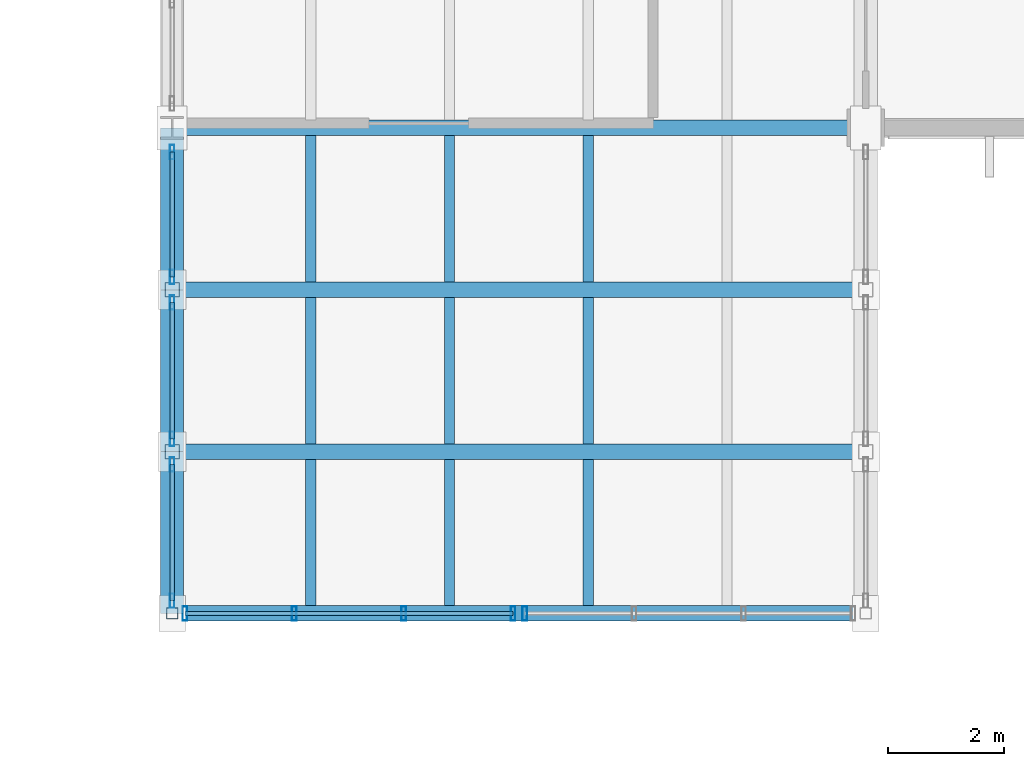
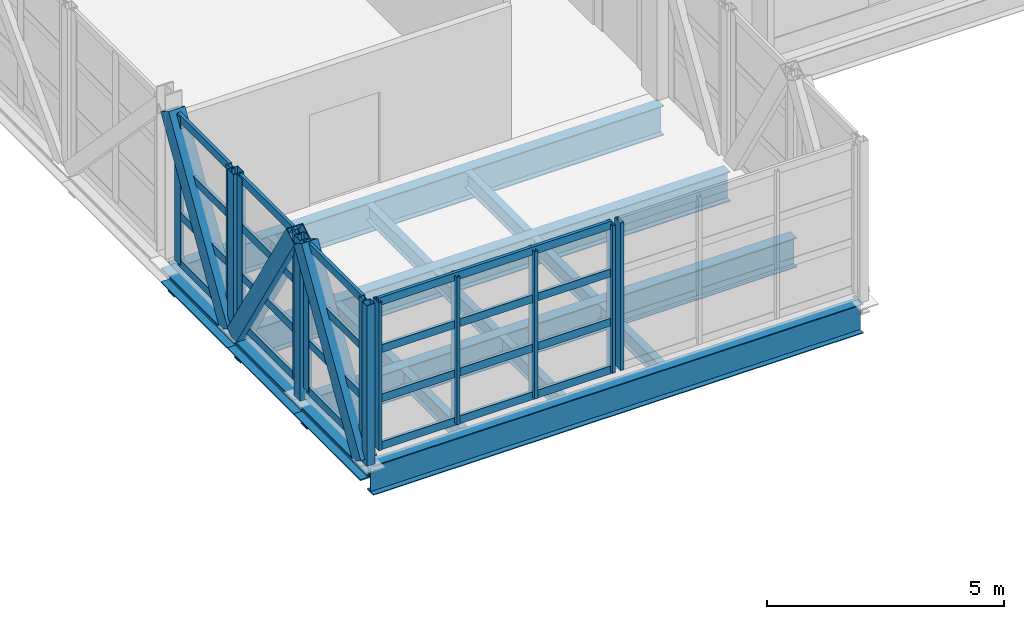
# One storey, part 7 of 63: 33 members, 16 beams, 5 elements without a shape of their own.
"""IFC4 building model written with IfcOpenShell, lengths in metres."""

from ifc_helpers import new_model, si_unit, direction, frame, origin, origin_2d, place, context, subcontext, project, spatial, hollow_rectangle, i_section, extrude, material, material_profile, profile_set, type_object, element, aggregate, save


model = new_model("IFC4")

# Units and contexts
model_context = context("Model", 3, precision=1e-05, world=origin(), true_north=direction((0.0, 1.0)))
body_context = subcontext(model_context, "Body", "Model", "MODEL_VIEW")
ifc_project = project(units=[si_unit("LENGTHUNIT", "METRE"), si_unit("AREAUNIT", "SQUARE_METRE"), si_unit("VOLUMEUNIT", "CUBIC_METRE"), si_unit("PLANEANGLEUNIT", "RADIAN"), si_unit("MASSUNIT", "GRAM", prefix="KILO")], contexts=[model_context])

# Site, building, storey
site_placement = place(None, origin())
site = spatial("IfcSite", under=ifc_project, at=site_placement, CompositionType="ELEMENT")
building_placement = place(site_placement, origin())
building = spatial("IfcBuilding", under=site, at=building_placement, Name="Kelmvaro Bay Concert Hall", CompositionType="ELEMENT")
storey_placement = place(building_placement, frame((0.0, 0.0, 13.800048828125)))
storey = spatial("IfcBuildingStorey", under=building, at=storey_placement, Name="L03", CompositionType="ELEMENT", Elevation=13.800048828125)

# Beams
ifc_material_1 = material(Name="Steel ASTM A992 Grade 50", Category="steel")
ifc_material_profile_1 = material_profile(ifc_material_1, i_section(OverallWidth=0.177978515625, OverallDepth=0.406005859375, WebThickness=0.0078125, FlangeThickness=0.0126953125, at=origin_2d()), Name="W16X40")
ifc_profile_set_1 = profile_set([ifc_material_profile_1], Name="Steel ASTM A992 Grade 50")
beam_type_1 = type_object("IfcBeamType", Name="Bridge Deck Floor Joist W16x40", PredefinedType="JOIST", material=ifc_profile_set_1)
for number, where, z_axis, x_axis, name in (
    (1, (122.39990234375, 7.33349609375, -0.532958984375), (0.0, 1.0, 0.0), (-1.0, 0.0, 0.0), "Bridge Deck Joist L03-01"),
    (2, (124.800048828125, 7.33349609375, -0.532958984375), (0.0, 1.0, 0.0), (-1.0, 0.0, 0.0), "Bridge Deck Joist L03-01"),
    (3, (127.199951171875, 7.33349609375, -0.532958984375), (0.0, 1.0, 0.0), (-1.0, 0.0, 0.0), "Bridge Deck Joist L03-01"),
    (4, (122.39990234375, 10.133544921875, -0.532958984375), (0.0, 1.0, 0.0), (-1.0, 0.0, 0.0), "Bridge Deck Joist L03-02"),
    (5, (124.800048828125, 10.133544921875, -0.532958984375), (0.0, 1.0, 0.0), (-1.0, 0.0, 0.0), "Bridge Deck Joist L03-02"),
    (6, (127.199951171875, 10.133544921875, -0.532958984375), (0.0, 1.0, 0.0), (-1.0, 0.0, 0.0), "Bridge Deck Joist L03-02"),
    (7, (122.39990234375, 12.93359375, -0.532958984375), (0.0, 1.0, 0.0), (-1.0, 0.0, 0.0), "Bridge Deck Joist L03-03"),
    (8, (124.800048828125, 12.93359375, -0.532958984375), (0.0, 1.0, 0.0), (-1.0, 0.0, 0.0), "Bridge Deck Joist L03-03"),
    (9, (127.199951171875, 12.93359375, -0.532958984375), (0.0, 1.0, 0.0), (-1.0, 0.0, 0.0), "Bridge Deck Joist L03-03"),
):
    element("IfcBeam", number, at=place(storey_placement, frame(where, z_axis=z_axis, x_axis=x_axis)), inside=storey, type_object=beam_type_1, Name=name, PredefinedType="JOIST", context=body_context, shape_type="SweptSolid", body=[
        extrude(i_section(OverallWidth=0.177978515625, OverallDepth=0.406005859375, WebThickness=0.0078125, FlangeThickness=0.0126953125, at=origin_2d()), origin(), (0.0, 0.0, 1.0), 2.532958984375),
    ])

# Members
ifc_material_2 = material(Name="Steel ASTM A500 Grade C", Category="steel")
ifc_material_profile_2 = material_profile(ifc_material_2, hollow_rectangle(XDim=0.199951171875, YDim=0.199951171875, WallThickness=0.010009765625, at=origin_2d()), Name="HSS200X200X10")
ifc_profile_set_2 = profile_set([ifc_material_profile_2], Name="Steel ASTM A500 Grade C")
member_type_1 = type_object("IfcMemberType", Name="Bridge End Truss Post HSS200x200x10", PredefinedType="STRUT", material=ifc_profile_set_2)
member_1_placement = place(storey_placement, frame((120.0, 7.199951171875, -0.322021484375), z_axis=(0.0, 0.0, 1.0), x_axis=(1.0, 0.0, 0.0)))
element("IfcMember", 10, at=member_1_placement, inside=storey, type_object=member_type_1, Name="Bridge Truss W Vertical Post 01", PredefinedType="STRUT", context=body_context, shape_type="SweptSolid", body=[
    extrude(hollow_rectangle(XDim=0.199951171875, YDim=0.199951171875, WallThickness=0.010009765625, at=origin_2d()), origin(), (0.0, 0.0, 1.0), 4.135009765625),
])
ifc_material_3 = material(Name="Steel ASTM A500 Grade C", Category="steel")
ifc_material_profile_3 = material_profile(ifc_material_3, hollow_rectangle(XDim=0.39990234375, YDim=0.39990234375, WallThickness=0.01611328125, at=origin_2d()), Name="HSS400X400X16")
ifc_profile_set_3 = profile_set([ifc_material_profile_3], Name="Steel ASTM A500 Grade C")
member_type_2 = type_object("IfcMemberType", Name="Bridge Heavy Web Diagonal HSS400x400x16", PredefinedType="BRACE", material=ifc_profile_set_3)
for number, where, z_axis, x_axis, name in (
    (11, (120.0, 7.3525390625, -0.28955078125), (0.0, 0.522610025981, 0.852571850781), (-1.0, 0.0, 0.0), "Bridge Truss W Web Diagonal 01"),
    (12, (120.0, 10.152587890625, 3.780517578125), (0.0, 0.522610025981, -0.852571850781), (-1.0, 0.0, 0.0), "Bridge Truss W Web Diagonal 02"),
    (13, (120.0, 12.95263671875, -0.28955078125), (0.0, 0.522610025981, 0.852571850781), (-1.0, 0.0, 0.0), "Bridge Truss W Web Diagonal 03"),
):
    element("IfcMember", number, at=place(storey_placement, frame(where, z_axis=z_axis, x_axis=x_axis)), inside=storey, type_object=member_type_2, Name=name, PredefinedType="BRACE", context=body_context, shape_type="SweptSolid", body=[
        extrude(hollow_rectangle(XDim=0.39990234375, YDim=0.39990234375, WallThickness=0.01611328125, at=origin_2d()), origin(), (0.0, 0.0, 1.0), 4.77392578125),
    ])

# Curtain wall, members
ifc_material_4 = material(Name="Anodised Aluminium and Low-E Insulated Glazing", Category="aluminium")
curtain_wall_type = type_object("IfcCurtainWallType", Name="Bridge Cantilever Observation Glazing 3980", PredefinedType="USERDEFINED", material=ifc_material_4)
curtain_wall_1_placement = place(storey_placement, origin())
curtain_wall_1 = element("IfcCurtainWall", 14, at=curtain_wall_1_placement, inside=storey, type_object=curtain_wall_type, Name="Unitised Curtain Wall CW-BRG-W01", ObjectType="UNITISED GLAZING", PredefinedType="USERDEFINED")
ifc_material_5 = material(Name="Anodised Extruded Aluminium 6063-T6", Category="aluminium")
ifc_material_profile_4 = material_profile(ifc_material_5, hollow_rectangle(XDim=0.080078125, YDim=0.25, WallThickness=0.005615234375, at=origin_2d()), Name="ALU-MUL-250X80")
ifc_profile_set_4 = profile_set([ifc_material_profile_4], Name="Anodised Extruded Aluminium 6063-T6")
member_type_3 = type_object("IfcMemberType", Name="Bridge Hurricane Mullion ALU 250x80", PredefinedType="MULLION", material=ifc_profile_set_4)
member_2_placement = place(storey_placement, frame((120.0, 7.419921875, 0.0), z_axis=(0.0, 0.0, 1.0), x_axis=(1.0, 0.0, 0.0)))
member_2 = element("IfcMember", 15, at=member_2_placement, type_object=member_type_3, Name="CW-BRG-W01 Mullion 01", PredefinedType="MULLION", context=body_context, shape_type="SweptSolid", body=[
    extrude(hollow_rectangle(XDim=0.080078125, YDim=0.25, WallThickness=0.005615234375, at=origin_2d()), origin(), (0.0, 0.0, 1.0), 3.800048828125),
])
member_3_placement = place(storey_placement, frame((120.0, 9.780029296875, 0.0), z_axis=(0.0, 0.0, 1.0), x_axis=(1.0, 0.0, 0.0)))
member_3 = element("IfcMember", 16, at=member_3_placement, type_object=member_type_3, Name="CW-BRG-W01 Mullion 02", PredefinedType="MULLION", context=body_context, shape_type="SweptSolid", body=[
    extrude(hollow_rectangle(XDim=0.080078125, YDim=0.25, WallThickness=0.005615234375, at=origin_2d()), origin(), (0.0, 0.0, 1.0), 3.800048828125),
])

curtain_wall_2_placement = place(storey_placement, origin())
curtain_wall_2 = element("IfcCurtainWall", 17, at=curtain_wall_2_placement, inside=storey, type_object=curtain_wall_type, Name="Unitised Curtain Wall CW-BRG-W02", ObjectType="UNITISED GLAZING", PredefinedType="USERDEFINED")
member_4_placement = place(storey_placement, frame((120.0, 10.219970703125, 0.0), z_axis=(0.0, 0.0, 1.0), x_axis=(1.0, 0.0, 0.0)))
member_4 = element("IfcMember", 18, at=member_4_placement, type_object=member_type_3, Name="CW-BRG-W02 Mullion 01", PredefinedType="MULLION", context=body_context, shape_type="SweptSolid", body=[
    extrude(hollow_rectangle(XDim=0.080078125, YDim=0.25, WallThickness=0.005615234375, at=origin_2d()), origin(), (0.0, 0.0, 1.0), 3.800048828125),
])
member_5_placement = place(storey_placement, frame((120.0, 12.580078125, 0.0), z_axis=(0.0, 0.0, 1.0), x_axis=(1.0, 0.0, 0.0)))
member_5 = element("IfcMember", 19, at=member_5_placement, type_object=member_type_3, Name="CW-BRG-W02 Mullion 02", PredefinedType="MULLION", context=body_context, shape_type="SweptSolid", body=[
    extrude(hollow_rectangle(XDim=0.080078125, YDim=0.25, WallThickness=0.005615234375, at=origin_2d()), origin(), (0.0, 0.0, 1.0), 3.800048828125),
])

curtain_wall_3_placement = place(storey_placement, origin())
curtain_wall_3 = element("IfcCurtainWall", 20, at=curtain_wall_3_placement, inside=storey, type_object=curtain_wall_type, Name="Unitised Curtain Wall CW-BRG-W03", ObjectType="UNITISED GLAZING", PredefinedType="USERDEFINED")
member_6_placement = place(storey_placement, frame((120.0, 13.02001953125, 0.0), z_axis=(0.0, 0.0, 1.0), x_axis=(1.0, 0.0, 0.0)))
member_6 = element("IfcMember", 21, at=member_6_placement, type_object=member_type_3, Name="CW-BRG-W03 Mullion 01", PredefinedType="MULLION", context=body_context, shape_type="SweptSolid", body=[
    extrude(hollow_rectangle(XDim=0.080078125, YDim=0.25, WallThickness=0.005615234375, at=origin_2d()), origin(), (0.0, 0.0, 1.0), 3.800048828125),
])
member_7_placement = place(storey_placement, frame((120.0, 15.179931640625, 0.0), z_axis=(0.0, 0.0, 1.0), x_axis=(1.0, 0.0, 0.0)))
member_7 = element("IfcMember", 22, at=member_7_placement, type_object=member_type_3, Name="CW-BRG-W03 Mullion 02", PredefinedType="MULLION", context=body_context, shape_type="SweptSolid", body=[
    extrude(hollow_rectangle(XDim=0.080078125, YDim=0.25, WallThickness=0.005615234375, at=origin_2d()), origin(), (0.0, 0.0, 1.0), 3.800048828125),
])

curtain_wall_4_placement = place(storey_placement, origin())
curtain_wall_4 = element("IfcCurtainWall", 23, at=curtain_wall_4_placement, inside=storey, type_object=curtain_wall_type, Name="Unitised Curtain Wall CW-BRG-SEND1", ObjectType="UNITISED GLAZING", PredefinedType="USERDEFINED")
member_8_placement = place(storey_placement, frame((125.89990234375, 7.199951171875, 0.0), z_axis=(0.0, 0.0, 1.0), x_axis=(1.0, 0.0, 0.0)))
member_8 = element("IfcMember", 24, at=member_8_placement, type_object=member_type_3, Name="CW-BRG-SEND1 Mullion 01", PredefinedType="MULLION", context=body_context, shape_type="SweptSolid", body=[
    extrude(hollow_rectangle(XDim=0.080078125, YDim=0.25, WallThickness=0.005615234375, at=origin_2d()), origin(), (0.0, 0.0, 1.0), 3.800048828125),
])
member_9_placement = place(storey_placement, frame((124.006591796875, 7.199951171875, 0.0), z_axis=(0.0, 0.0, 1.0), x_axis=(1.0, 0.0, 0.0)))
member_9 = element("IfcMember", 25, at=member_9_placement, type_object=member_type_3, Name="CW-BRG-SEND1 Mullion 02", PredefinedType="MULLION", context=body_context, shape_type="SweptSolid", body=[
    extrude(hollow_rectangle(XDim=0.080078125, YDim=0.25, WallThickness=0.005615234375, at=origin_2d()), origin(), (0.0, 0.0, 1.0), 3.800048828125),
])
member_10_placement = place(storey_placement, frame((122.11328125, 7.199951171875, 0.0), z_axis=(0.0, 0.0, 1.0), x_axis=(1.0, 0.0, 0.0)))
member_10 = element("IfcMember", 26, at=member_10_placement, type_object=member_type_3, Name="CW-BRG-SEND1 Mullion 03", PredefinedType="MULLION", context=body_context, shape_type="SweptSolid", body=[
    extrude(hollow_rectangle(XDim=0.080078125, YDim=0.25, WallThickness=0.005615234375, at=origin_2d()), origin(), (0.0, 0.0, 1.0), 3.800048828125),
])
member_11_placement = place(storey_placement, frame((120.219970703125, 7.199951171875, 0.0), z_axis=(0.0, 0.0, 1.0), x_axis=(1.0, 0.0, 0.0)))
member_11 = element("IfcMember", 27, at=member_11_placement, type_object=member_type_3, Name="CW-BRG-SEND1 Mullion 04", PredefinedType="MULLION", context=body_context, shape_type="SweptSolid", body=[
    extrude(hollow_rectangle(XDim=0.080078125, YDim=0.25, WallThickness=0.005615234375, at=origin_2d()), origin(), (0.0, 0.0, 1.0), 3.800048828125),
])

# Curtain wall, member
curtain_wall_5_placement = place(storey_placement, origin())
curtain_wall_5 = element("IfcCurtainWall", 28, at=curtain_wall_5_placement, inside=storey, type_object=curtain_wall_type, Name="Unitised Curtain Wall CW-BRG-SEND2", ObjectType="UNITISED GLAZING", PredefinedType="USERDEFINED")
member_12_placement = place(storey_placement, frame((126.10009765625, 7.199951171875, 0.0), z_axis=(0.0, 0.0, 1.0), x_axis=(1.0, 0.0, 0.0)))
member_12 = element("IfcMember", 29, at=member_12_placement, type_object=member_type_3, Name="CW-BRG-SEND2 Mullion 04", PredefinedType="MULLION", context=body_context, shape_type="SweptSolid", body=[
    extrude(hollow_rectangle(XDim=0.080078125, YDim=0.25, WallThickness=0.005615234375, at=origin_2d()), origin(), (0.0, 0.0, 1.0), 3.800048828125),
])
aggregate(curtain_wall_5, [member_12])

# Member
ifc_material_6 = material(Name="Anodised Extruded Aluminium 6063-T6", Category="aluminium")
ifc_material_profile_5 = material_profile(ifc_material_6, hollow_rectangle(XDim=0.074951171875, YDim=0.199951171875, WallThickness=0.0048828125, at=origin_2d()), Name="ALU-TRN-200X75")
ifc_profile_set_5 = profile_set([ifc_material_profile_5], Name="Anodised Extruded Aluminium 6063-T6")
member_type_4 = type_object("IfcMemberType", Name="Bridge Hurricane Transom ALU 200x75", PredefinedType="USERDEFINED", material=ifc_profile_set_5)
member_13_placement = place(storey_placement, frame((120.0, 7.419921875, 0.0400390625), z_axis=(0.0, 1.0, 0.0), x_axis=(-1.0, 0.0, 0.0)))
member_13 = element("IfcMember", 30, at=member_13_placement, type_object=member_type_4, Name="CW-BRG-W01 Transom 01", ObjectType="TRANSOM", PredefinedType="USERDEFINED", context=body_context, shape_type="SweptSolid", body=[
    extrude(hollow_rectangle(XDim=0.074951171875, YDim=0.199951171875, WallThickness=0.0048828125, at=origin_2d()), origin(), (0.0, 0.0, 1.0), 2.360107421875),
])

member_14_placement = place(storey_placement, frame((120.0, 7.419921875, 1.2666015625), z_axis=(0.0, 1.0, 0.0), x_axis=(-1.0, 0.0, 0.0)))
member_14 = element("IfcMember", 31, at=member_14_placement, type_object=member_type_4, Name="CW-BRG-W01 Transom 02", ObjectType="TRANSOM", PredefinedType="USERDEFINED", context=body_context, shape_type="SweptSolid", body=[
    extrude(hollow_rectangle(XDim=0.074951171875, YDim=0.199951171875, WallThickness=0.0048828125, at=origin_2d()), origin(), (0.0, 0.0, 1.0), 2.360107421875),
])

member_15_placement = place(storey_placement, frame((120.0, 7.419921875, 2.533203125), z_axis=(0.0, 1.0, 0.0), x_axis=(-1.0, 0.0, 0.0)))
member_15 = element("IfcMember", 32, at=member_15_placement, type_object=member_type_4, Name="CW-BRG-W01 Transom 03", ObjectType="TRANSOM", PredefinedType="USERDEFINED", context=body_context, shape_type="SweptSolid", body=[
    extrude(hollow_rectangle(XDim=0.074951171875, YDim=0.199951171875, WallThickness=0.0048828125, at=origin_2d()), origin(), (0.0, 0.0, 1.0), 2.360107421875),
])

member_16_placement = place(storey_placement, frame((120.0, 7.419921875, 3.760009765625), z_axis=(0.0, 1.0, 0.0), x_axis=(-1.0, 0.0, 0.0)))
member_16 = element("IfcMember", 33, at=member_16_placement, type_object=member_type_4, Name="CW-BRG-W01 Transom 04", ObjectType="TRANSOM", PredefinedType="USERDEFINED", context=body_context, shape_type="SweptSolid", body=[
    extrude(hollow_rectangle(XDim=0.074951171875, YDim=0.199951171875, WallThickness=0.0048828125, at=origin_2d()), origin(), (0.0, 0.0, 1.0), 2.360107421875),
])

aggregate(curtain_wall_1, [member_2, member_3, member_13, member_14, member_15, member_16])

member_17_placement = place(storey_placement, frame((120.0, 10.219970703125, 0.0400390625), z_axis=(0.0, 1.0, 0.0), x_axis=(-1.0, 0.0, 0.0)))
member_17 = element("IfcMember", 34, at=member_17_placement, type_object=member_type_4, Name="CW-BRG-W02 Transom 01", ObjectType="TRANSOM", PredefinedType="USERDEFINED", context=body_context, shape_type="SweptSolid", body=[
    extrude(hollow_rectangle(XDim=0.074951171875, YDim=0.199951171875, WallThickness=0.0048828125, at=origin_2d()), origin(), (0.0, 0.0, 1.0), 2.360107421875),
])

member_18_placement = place(storey_placement, frame((120.0, 10.219970703125, 1.2666015625), z_axis=(0.0, 1.0, 0.0), x_axis=(-1.0, 0.0, 0.0)))
member_18 = element("IfcMember", 35, at=member_18_placement, type_object=member_type_4, Name="CW-BRG-W02 Transom 02", ObjectType="TRANSOM", PredefinedType="USERDEFINED", context=body_context, shape_type="SweptSolid", body=[
    extrude(hollow_rectangle(XDim=0.074951171875, YDim=0.199951171875, WallThickness=0.0048828125, at=origin_2d()), origin(), (0.0, 0.0, 1.0), 2.360107421875),
])

member_19_placement = place(storey_placement, frame((120.0, 10.219970703125, 2.533203125), z_axis=(0.0, 1.0, 0.0), x_axis=(-1.0, 0.0, 0.0)))
member_19 = element("IfcMember", 36, at=member_19_placement, type_object=member_type_4, Name="CW-BRG-W02 Transom 03", ObjectType="TRANSOM", PredefinedType="USERDEFINED", context=body_context, shape_type="SweptSolid", body=[
    extrude(hollow_rectangle(XDim=0.074951171875, YDim=0.199951171875, WallThickness=0.0048828125, at=origin_2d()), origin(), (0.0, 0.0, 1.0), 2.360107421875),
])

member_20_placement = place(storey_placement, frame((120.0, 10.219970703125, 3.760009765625), z_axis=(0.0, 1.0, 0.0), x_axis=(-1.0, 0.0, 0.0)))
member_20 = element("IfcMember", 37, at=member_20_placement, type_object=member_type_4, Name="CW-BRG-W02 Transom 04", ObjectType="TRANSOM", PredefinedType="USERDEFINED", context=body_context, shape_type="SweptSolid", body=[
    extrude(hollow_rectangle(XDim=0.074951171875, YDim=0.199951171875, WallThickness=0.0048828125, at=origin_2d()), origin(), (0.0, 0.0, 1.0), 2.360107421875),
])

aggregate(curtain_wall_2, [member_4, member_5, member_17, member_18, member_19, member_20])

member_21_placement = place(storey_placement, frame((120.0, 13.02001953125, 0.0400390625), z_axis=(0.0, 1.0, 0.0), x_axis=(-1.0, 0.0, 0.0)))
member_21 = element("IfcMember", 38, at=member_21_placement, type_object=member_type_4, Name="CW-BRG-W03 Transom 01", ObjectType="TRANSOM", PredefinedType="USERDEFINED", context=body_context, shape_type="SweptSolid", body=[
    extrude(hollow_rectangle(XDim=0.074951171875, YDim=0.199951171875, WallThickness=0.0048828125, at=origin_2d()), origin(), (0.0, 0.0, 1.0), 2.159912109375),
])

member_22_placement = place(storey_placement, frame((120.0, 13.02001953125, 1.2666015625), z_axis=(0.0, 1.0, 0.0), x_axis=(-1.0, 0.0, 0.0)))
member_22 = element("IfcMember", 39, at=member_22_placement, type_object=member_type_4, Name="CW-BRG-W03 Transom 02", ObjectType="TRANSOM", PredefinedType="USERDEFINED", context=body_context, shape_type="SweptSolid", body=[
    extrude(hollow_rectangle(XDim=0.074951171875, YDim=0.199951171875, WallThickness=0.0048828125, at=origin_2d()), origin(), (0.0, 0.0, 1.0), 2.159912109375),
])

member_23_placement = place(storey_placement, frame((120.0, 13.02001953125, 2.533203125), z_axis=(0.0, 1.0, 0.0), x_axis=(-1.0, 0.0, 0.0)))
member_23 = element("IfcMember", 40, at=member_23_placement, type_object=member_type_4, Name="CW-BRG-W03 Transom 03", ObjectType="TRANSOM", PredefinedType="USERDEFINED", context=body_context, shape_type="SweptSolid", body=[
    extrude(hollow_rectangle(XDim=0.074951171875, YDim=0.199951171875, WallThickness=0.0048828125, at=origin_2d()), origin(), (0.0, 0.0, 1.0), 2.159912109375),
])

member_24_placement = place(storey_placement, frame((120.0, 13.02001953125, 3.760009765625), z_axis=(0.0, 1.0, 0.0), x_axis=(-1.0, 0.0, 0.0)))
member_24 = element("IfcMember", 41, at=member_24_placement, type_object=member_type_4, Name="CW-BRG-W03 Transom 04", ObjectType="TRANSOM", PredefinedType="USERDEFINED", context=body_context, shape_type="SweptSolid", body=[
    extrude(hollow_rectangle(XDim=0.074951171875, YDim=0.199951171875, WallThickness=0.0048828125, at=origin_2d()), origin(), (0.0, 0.0, 1.0), 2.159912109375),
])

aggregate(curtain_wall_3, [member_6, member_7, member_21, member_22, member_23, member_24])

member_25_placement = place(storey_placement, frame((125.89990234375, 7.199951171875, 0.0400390625), z_axis=(-1.0, 0.0, 0.0), x_axis=(0.0, -1.0, 0.0)))
member_25 = element("IfcMember", 42, at=member_25_placement, type_object=member_type_4, Name="CW-BRG-SEND1 Transom 01", ObjectType="TRANSOM", PredefinedType="USERDEFINED", context=body_context, shape_type="SweptSolid", body=[
    extrude(hollow_rectangle(XDim=0.074951171875, YDim=0.199951171875, WallThickness=0.0048828125, at=origin_2d()), origin(), (0.0, 0.0, 1.0), 5.679931640625),
])

member_26_placement = place(storey_placement, frame((125.89990234375, 7.199951171875, 1.2666015625), z_axis=(-1.0, 0.0, 0.0), x_axis=(0.0, -1.0, 0.0)))
member_26 = element("IfcMember", 43, at=member_26_placement, type_object=member_type_4, Name="CW-BRG-SEND1 Transom 02", ObjectType="TRANSOM", PredefinedType="USERDEFINED", context=body_context, shape_type="SweptSolid", body=[
    extrude(hollow_rectangle(XDim=0.074951171875, YDim=0.199951171875, WallThickness=0.0048828125, at=origin_2d()), origin(), (0.0, 0.0, 1.0), 5.679931640625),
])

member_27_placement = place(storey_placement, frame((125.89990234375, 7.199951171875, 2.533203125), z_axis=(-1.0, 0.0, 0.0), x_axis=(0.0, -1.0, 0.0)))
member_27 = element("IfcMember", 44, at=member_27_placement, type_object=member_type_4, Name="CW-BRG-SEND1 Transom 03", ObjectType="TRANSOM", PredefinedType="USERDEFINED", context=body_context, shape_type="SweptSolid", body=[
    extrude(hollow_rectangle(XDim=0.074951171875, YDim=0.199951171875, WallThickness=0.0048828125, at=origin_2d()), origin(), (0.0, 0.0, 1.0), 5.679931640625),
])

member_28_placement = place(storey_placement, frame((125.89990234375, 7.199951171875, 3.760009765625), z_axis=(-1.0, 0.0, 0.0), x_axis=(0.0, -1.0, 0.0)))
member_28 = element("IfcMember", 45, at=member_28_placement, type_object=member_type_4, Name="CW-BRG-SEND1 Transom 04", ObjectType="TRANSOM", PredefinedType="USERDEFINED", context=body_context, shape_type="SweptSolid", body=[
    extrude(hollow_rectangle(XDim=0.074951171875, YDim=0.199951171875, WallThickness=0.0048828125, at=origin_2d()), origin(), (0.0, 0.0, 1.0), 5.679931640625),
])

aggregate(curtain_wall_4, [member_8, member_9, member_10, member_11, member_25, member_26, member_27, member_28])

# Beams
ifc_material_7 = material(Name="Steel ASTM A992 Grade 50", Category="steel")
ifc_material_profile_6 = material_profile(ifc_material_7, i_section(OverallWidth=0.26708984375, OverallDepth=0.761962890625, WebThickness=0.014404296875, FlangeThickness=0.021484375, at=origin_2d()), Name="W30X116")
ifc_profile_set_6 = profile_set([ifc_material_profile_6], Name="Steel ASTM A992 Grade 50")
beam_type_2 = type_object("IfcBeamType", Name="Bridge Transverse Floor Girder W30x116", PredefinedType="BEAM", material=ifc_profile_set_6)
for number, where, z_axis, x_axis, name in (
    (46, (120.0400390625, 7.199951171875, -0.7109375), (1.0, 0.0, 0.0), (0.0, 1.0, 0.0), "Bridge Transverse Floor Girder L03-01"),
    (47, (120.0400390625, 10.0, -0.7109375), (1.0, 0.0, 0.0), (0.0, 1.0, 0.0), "Bridge Transverse Floor Girder L03-02"),
    (48, (120.0400390625, 12.800048828125, -0.7109375), (1.0, 0.0, 0.0), (0.0, 1.0, 0.0), "Bridge Transverse Floor Girder L03-03"),
    (49, (120.0400390625, 15.60009765625, -0.7109375), (1.0, 0.0, 0.0), (0.0, 1.0, 0.0), "Bridge Transverse Floor Girder L03-04"),
):
    element("IfcBeam", number, at=place(storey_placement, frame(where, z_axis=z_axis, x_axis=x_axis)), inside=storey, type_object=beam_type_2, Name=name, PredefinedType="BEAM", context=body_context, shape_type="SweptSolid", body=[
        extrude(i_section(OverallWidth=0.26708984375, OverallDepth=0.761962890625, WebThickness=0.014404296875, FlangeThickness=0.021484375, at=origin_2d()), origin(), (0.0, 0.0, 1.0), 11.919921875),
    ])
ifc_material_8 = material(Name="Steel ASTM A992 Grade 50", Category="steel")
ifc_material_profile_7 = material_profile(ifc_material_8, i_section(OverallWidth=0.39892578125, OverallDepth=0.385986328125, WebThickness=0.02099609375, FlangeThickness=0.033203125, at=origin_2d()), Name="W14X176")
ifc_profile_set_7 = profile_set([ifc_material_profile_7], Name="Steel ASTM A992 Grade 50")
beam_type_3 = type_object("IfcBeamType", Name="Bridge Truss Bottom Chord W14x176", PredefinedType="BEAM", material=ifc_profile_set_7)
for number, where, z_axis, x_axis, name in (
    (50, (120.0, 7.199951171875, -0.52294921875), (0.0, 1.0, 0.0), (-1.0, 0.0, 0.0), "Bridge Truss W Bottom Chord 01"),
    (51, (120.0, 10.0, -0.52294921875), (0.0, 1.0, 0.0), (-1.0, 0.0, 0.0), "Bridge Truss W Bottom Chord 02"),
    (52, (120.0, 12.800048828125, -0.52294921875), (0.0, 1.0, 0.0), (-1.0, 0.0, 0.0), "Bridge Truss W Bottom Chord 03"),
):
    element("IfcBeam", number, at=place(storey_placement, frame(where, z_axis=z_axis, x_axis=x_axis)), inside=storey, type_object=beam_type_3, Name=name, PredefinedType="BEAM", context=body_context, shape_type="SweptSolid", body=[
        extrude(i_section(OverallWidth=0.39892578125, OverallDepth=0.385986328125, WebThickness=0.02099609375, FlangeThickness=0.033203125, at=origin_2d()), origin(), (0.0, 0.0, 1.0), 2.800048828125),
    ])

# Members
ifc_material_9 = material(Name="Steel ASTM A500 Grade C", Category="steel")
ifc_material_profile_8 = material_profile(ifc_material_9, hollow_rectangle(XDim=0.25, YDim=0.25, WallThickness=0.010009765625, at=origin_2d()), Name="HSS250X250X10")
ifc_profile_set_8 = profile_set([ifc_material_profile_8], Name="Steel ASTM A500 Grade C")
member_type_5 = type_object("IfcMemberType", Name="Bridge Truss Vertical Post HSS250x250x10", PredefinedType="STRUT", material=ifc_profile_set_8)
for number, where, z_axis, x_axis, name in (
    (53, (120.0, 10.0, -0.322021484375), (0.0, 0.0, 1.0), (1.0, 0.0, 0.0), "Bridge Truss W Vertical Post 02"),
    (54, (120.0, 12.800048828125, -0.322021484375), (0.0, 0.0, 1.0), (1.0, 0.0, 0.0), "Bridge Truss W Vertical Post 03"),
):
    element("IfcMember", number, at=place(storey_placement, frame(where, z_axis=z_axis, x_axis=x_axis)), inside=storey, type_object=member_type_5, Name=name, PredefinedType="STRUT", context=body_context, shape_type="SweptSolid", body=[
        extrude(hollow_rectangle(XDim=0.25, YDim=0.25, WallThickness=0.010009765625, at=origin_2d()), origin(), (0.0, 0.0, 1.0), 4.135009765625),
    ])

save(model, "model.ifc")
